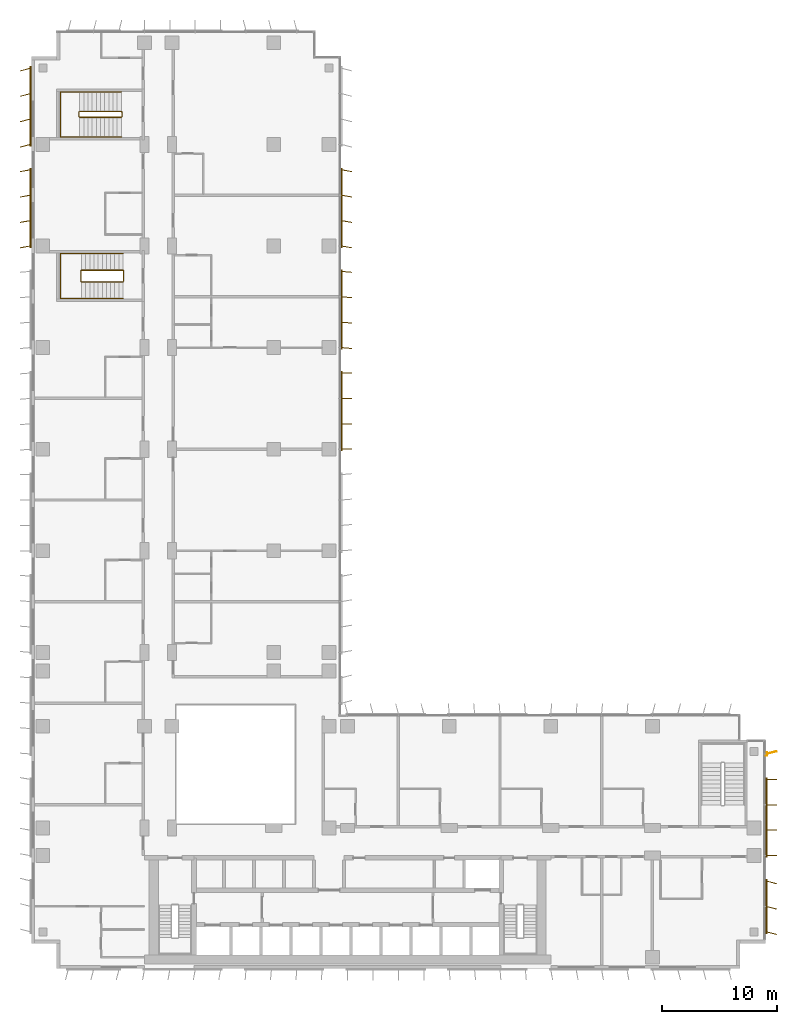
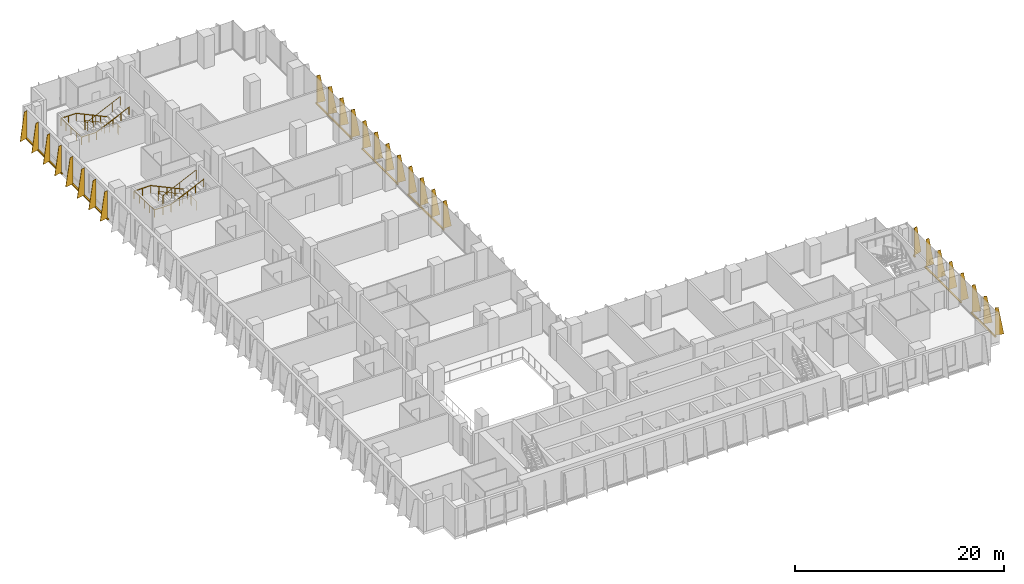
# One storey, part 21 of 22: 8 shading devices, 4 railings.
"""IFC4 building model written with IfcOpenShell, lengths in metres."""

from ifc_helpers import new_model, si_unit, direction, frame, origin, origin_2d, place, context, subcontext, project, spatial, polyline, rectangle, circle, outline, extrude, source, transform, mapped, material, layer, layer_set, type_object, element, save


model = new_model("IFC4")

# Units and contexts
model_context = context("Model", 3, precision=1e-05, world=origin(), true_north=direction((0.0, 1.0)))
body_context = subcontext(model_context, "Body", "Model", "MODEL_VIEW")
ifc_project = project(units=[si_unit("LENGTHUNIT", "METRE"), si_unit("AREAUNIT", "SQUARE_METRE"), si_unit("VOLUMEUNIT", "CUBIC_METRE"), si_unit("PLANEANGLEUNIT", "RADIAN"), si_unit("MASSUNIT", "GRAM", prefix="KILO")], contexts=[model_context])

# Site, building, storey
site_placement = place(None, origin())
site = spatial("IfcSite", under=ifc_project, at=site_placement, CompositionType="ELEMENT")
building_placement = place(site_placement, origin())
building = spatial("IfcBuilding", under=site, at=building_placement, Name="Kemantara Hotel Tower", CompositionType="ELEMENT")
storey_placement = place(building_placement, frame((0.0, 0.0, 98.199951171875)))
storey = spatial("IfcBuildingStorey", under=building, at=storey_placement, Name="L23", CompositionType="ELEMENT", Elevation=98.199951171875)

# Railings
ifc_material_1 = material(Name="Stainless steel balustrade", Category="steel")
railing_type_1 = type_object("IfcRailingType", Name="Stair guard 1100 mm", PredefinedType="GUARDRAIL", material=ifc_material_1)
railing_1_placement = place(storey_placement, frame((7.949951171875, 59.5, 3.699951171875)))
element("IfcRailing", 1, at=railing_1_placement, inside=storey, type_object=railing_type_1, Name="L23 ST4 stair guard 1", PredefinedType="GUARDRAIL", context=body_context, shape_type="SweptSolid", body=[
    extrude(circle(Radius=0.02392578125, at=origin_2d()), frame((0.0, 0.0, 1.076171875), z_axis=(-0.906018243939, 0.0, -0.423238634402), x_axis=(0.0, -1.0, 0.0)), (0.0, 0.0, 1.0), 3.973388671875),
    extrude(circle(Radius=0.02392578125, at=origin_2d()), frame((-3.599853515625, 0.0, -0.60546875), z_axis=(-0.274243871929, 0.274243871929, -0.92172696468), x_axis=(-0.707106781187, -0.707106781187, 0.0)), (0.0, 0.0, 1.0), 0.1826171875),
    extrude(circle(Radius=0.02392578125, at=origin_2d()), frame((-3.64990234375, 0.050048828125, -0.77392578125), z_axis=(0.0, 1.0, 0.0), x_axis=(-1.0, 0.0, 0.0)), (0.0, 0.0, 1.0), 0.89990234375),
    extrude(circle(Radius=0.02392578125, at=origin_2d()), frame((-3.64990234375, 0.949951171875, -0.77392578125), z_axis=(0.707106781187, 0.707106781187, 0.0), x_axis=(-0.707106781187, 0.707106781187, 0.0)), (0.0, 0.0, 1.0), 0.07080078125),
    extrude(circle(Radius=0.02392578125, at=origin_2d()), frame((-3.599853515625, 1.0, -0.77392578125), z_axis=(0.905994681025, 0.0, -0.423289071386), x_axis=(0.0, 1.0, 0.0)), (0.0, 0.0, 1.0), 3.973388671875),
    extrude(circle(Radius=0.02392578125, at=origin_2d()), frame((0.0, 1.0, -2.45556640625), z_axis=(0.274243871929, -0.274243871929, -0.92172696468), x_axis=(0.707106781187, 0.707106781187, 0.0)), (0.0, 0.0, 1.0), 0.1826171875),
    extrude(circle(Radius=0.02392578125, at=origin_2d()), frame((0.050048828125, 0.949951171875, -2.6240234375), z_axis=(0.0, -1.0, 0.0), x_axis=(1.0, 0.0, 0.0)), (0.0, 0.0, 1.0), 0.89990234375),
    extrude(circle(Radius=0.02099609375, at=origin_2d()), origin(), (0.0, 0.0, 1.0), 1.052001953125),
    extrude(circle(Radius=0.02099609375, at=origin_2d()), frame((-0.89990234375, 0.0, -0.42041015625)), (0.0, 0.0, 1.0), 1.052001953125),
    extrude(circle(Radius=0.02099609375, at=origin_2d()), frame((-1.7998046875, 0.0, -0.8408203125)), (0.0, 0.0, 1.0), 1.052001953125),
    extrude(circle(Radius=0.02099609375, at=origin_2d()), frame((-2.699951171875, 0.0, -1.26123046875)), (0.0, 0.0, 1.0), 1.052001953125),
    extrude(circle(Radius=0.02099609375, at=origin_2d()), frame((-3.599853515625, 0.0, -1.681640625)), (0.0, 0.0, 1.0), 1.052001953125),
    extrude(circle(Radius=0.02099609375, at=origin_2d()), frame((-3.64990234375, 0.050048828125, -1.849853515625)), (0.0, 0.0, 1.0), 1.052001953125),
    extrude(circle(Radius=0.02099609375, at=origin_2d()), frame((-3.64990234375, 0.949951171875, -1.849853515625)), (0.0, 0.0, 1.0), 1.052001953125),
    extrude(circle(Radius=0.02099609375, at=origin_2d()), frame((-3.599853515625, 1.0, -1.849853515625)), (0.0, 0.0, 1.0), 1.052001953125),
    extrude(circle(Radius=0.02099609375, at=origin_2d()), frame((-2.699951171875, 1.0, -2.270263671875)), (0.0, 0.0, 1.0), 1.052001953125),
    extrude(circle(Radius=0.02099609375, at=origin_2d()), frame((-1.7998046875, 1.0, -2.69091796875)), (0.0, 0.0, 1.0), 1.052001953125),
    extrude(circle(Radius=0.02099609375, at=origin_2d()), frame((-0.89990234375, 1.0, -3.111328125)), (0.0, 0.0, 1.0), 1.052001953125),
    extrude(circle(Radius=0.02099609375, at=origin_2d()), frame((0.0, 1.0, -3.53173828125)), (0.0, 0.0, 1.0), 1.052001953125),
    extrude(circle(Radius=0.02099609375, at=origin_2d()), frame((0.050048828125, 0.949951171875, -3.699951171875)), (0.0, 0.0, 1.0), 1.052001953125),
    extrude(circle(Radius=0.02099609375, at=origin_2d()), frame((0.050048828125, 0.050048828125, -3.699951171875)), (0.0, 0.0, 1.0), 1.052001953125),
])
railing_2_placement = place(storey_placement, frame((7.800048828125, 73.75, 3.699951171875)))
element("IfcRailing", 2, at=railing_2_placement, inside=storey, type_object=railing_type_1, Name="L23 ST6 stair guard 1", PredefinedType="GUARDRAIL", context=body_context, shape_type="SweptSolid", body=[
    extrude(circle(Radius=0.02392578125, at=origin_2d()), frame((0.0, 0.0, 1.076171875), z_axis=(-0.906029249863, 0.0, -0.423215073447), x_axis=(0.0, -1.0, 0.0)), (0.0, 0.0, 1.0), 3.973388671875),
    extrude(circle(Radius=0.02392578125, at=origin_2d()), frame((-3.60009765625, 0.0, -0.60546875), z_axis=(-0.274243871929, 0.274243871929, -0.92172696468), x_axis=(-0.707106781187, -0.707106781187, 0.0)), (0.0, 0.0, 1.0), 0.1826171875),
    extrude(circle(Radius=0.02392578125, at=origin_2d()), frame((-3.650146484375, 0.050048828125, -0.77392578125), z_axis=(0.0, 1.0, 0.0), x_axis=(-1.0, 0.0, 0.0)), (0.0, 0.0, 1.0), 0.39990234375),
    extrude(circle(Radius=0.02392578125, at=origin_2d()), frame((-3.650146484375, 0.449951171875, -0.77392578125), z_axis=(0.707106781187, 0.707106781187, 0.0), x_axis=(-0.707106781187, 0.707106781187, 0.0)), (0.0, 0.0, 1.0), 0.07080078125),
    extrude(circle(Radius=0.02392578125, at=origin_2d()), frame((-3.60009765625, 0.5, -0.77392578125), z_axis=(0.906005689286, 0.0, -0.423265508849), x_axis=(0.0, 1.0, 0.0)), (0.0, 0.0, 1.0), 3.9736328125),
    extrude(circle(Radius=0.02392578125, at=origin_2d()), frame((0.0, 0.5, -2.45556640625), z_axis=(0.274243871929, -0.274243871929, -0.92172696468), x_axis=(0.707106781187, 0.707106781187, 0.0)), (0.0, 0.0, 1.0), 0.1826171875),
    extrude(circle(Radius=0.02392578125, at=origin_2d()), frame((0.050048828125, 0.449951171875, -2.6240234375), z_axis=(0.0, -1.0, 0.0), x_axis=(1.0, 0.0, 0.0)), (0.0, 0.0, 1.0), 0.39990234375),
    extrude(circle(Radius=0.02099609375, at=origin_2d()), origin(), (0.0, 0.0, 1.0), 1.052001953125),
    extrude(circle(Radius=0.02099609375, at=origin_2d()), frame((-0.89990234375, 0.0, -0.42041015625)), (0.0, 0.0, 1.0), 1.052001953125),
    extrude(circle(Radius=0.02099609375, at=origin_2d()), frame((-1.800048828125, 0.0, -0.8408203125)), (0.0, 0.0, 1.0), 1.052001953125),
    extrude(circle(Radius=0.02099609375, at=origin_2d()), frame((-2.7001953125, 0.0, -1.26123046875)), (0.0, 0.0, 1.0), 1.052001953125),
    extrude(circle(Radius=0.02099609375, at=origin_2d()), frame((-3.60009765625, 0.0, -1.681640625)), (0.0, 0.0, 1.0), 1.052001953125),
    extrude(circle(Radius=0.02099609375, at=origin_2d()), frame((-3.650146484375, 0.050048828125, -1.849853515625)), (0.0, 0.0, 1.0), 1.052001953125),
    extrude(circle(Radius=0.02099609375, at=origin_2d()), frame((-3.650146484375, 0.449951171875, -1.849853515625)), (0.0, 0.0, 1.0), 1.052001953125),
    extrude(circle(Radius=0.02099609375, at=origin_2d()), frame((-3.60009765625, 0.5, -1.849853515625)), (0.0, 0.0, 1.0), 1.052001953125),
    extrude(circle(Radius=0.02099609375, at=origin_2d()), frame((-2.7001953125, 0.5, -2.270263671875)), (0.0, 0.0, 1.0), 1.052001953125),
    extrude(circle(Radius=0.02099609375, at=origin_2d()), frame((-1.800048828125, 0.5, -2.69091796875)), (0.0, 0.0, 1.0), 1.052001953125),
    extrude(circle(Radius=0.02099609375, at=origin_2d()), frame((-0.89990234375, 0.5, -3.111328125)), (0.0, 0.0, 1.0), 1.052001953125),
    extrude(circle(Radius=0.02099609375, at=origin_2d()), frame((0.0, 0.5, -3.53173828125)), (0.0, 0.0, 1.0), 1.052001953125),
    extrude(circle(Radius=0.02099609375, at=origin_2d()), frame((0.050048828125, 0.449951171875, -3.699951171875)), (0.0, 0.0, 1.0), 1.052001953125),
    extrude(circle(Radius=0.02099609375, at=origin_2d()), frame((0.050048828125, 0.050048828125, -3.699951171875)), (0.0, 0.0, 1.0), 1.052001953125),
])
railing_type_2 = type_object("IfcRailingType", Name="Stair handrail 900 mm", PredefinedType="HANDRAIL", material=ifc_material_1)
railing_3_placement = place(storey_placement, frame((7.949951171875, 61.949951171875, 0.168212890625)))
element("IfcRailing", 3, at=railing_3_placement, inside=storey, type_object=railing_type_2, Name="L23 ST4 stair handrail 1", PredefinedType="HANDRAIL", context=body_context, shape_type="SweptSolid", body=[
    extrude(circle(Radius=0.02392578125, at=origin_2d()), frame((0.0, 0.0, 0.8759765625), z_axis=(-0.905994681025, 0.0, 0.423289071386), x_axis=(0.0, -1.0, 0.0)), (0.0, 0.0, 1.0), 3.973388671875),
    extrude(circle(Radius=0.02392578125, at=origin_2d()), frame((-3.599853515625, 0.0, 2.5576171875), z_axis=(-1.0, 0.0, 0.0), x_axis=(0.0, -1.0, 0.0)), (0.0, 0.0, 1.0), 1.830078125),
    extrude(circle(Radius=0.02392578125, at=origin_2d()), frame((-5.429931640625, 0.0, 2.5576171875), z_axis=(0.0, -0.999071085748, 0.043092523981), x_axis=(1.0, 0.0, 0.0)), (0.0, 0.0, 1.0), 3.903564453125),
    extrude(circle(Radius=0.02392578125, at=origin_2d()), frame((-5.429931640625, -3.89990234375, 2.72607421875), z_axis=(1.0, 0.0, 0.0), x_axis=(0.0, 1.0, 0.0)), (0.0, 0.0, 1.0), 1.830078125),
    extrude(circle(Radius=0.02392578125, at=origin_2d()), frame((-3.599853515625, -3.89990234375, 2.72607421875), z_axis=(0.906018243939, 0.0, 0.423238634402), x_axis=(0.0, 1.0, 0.0)), (0.0, 0.0, 1.0), 3.973388671875),
    extrude(circle(Radius=0.02099609375, at=origin_2d()), origin(), (0.0, 0.0, 1.0), 0.851806640625),
    extrude(circle(Radius=0.02099609375, at=origin_2d()), frame((-0.89990234375, 0.0, 0.42041015625)), (0.0, 0.0, 1.0), 0.851806640625),
    extrude(circle(Radius=0.02099609375, at=origin_2d()), frame((-1.7998046875, 0.0, 0.8408203125)), (0.0, 0.0, 1.0), 0.851806640625),
    extrude(circle(Radius=0.02099609375, at=origin_2d()), frame((-2.699951171875, 0.0, 1.261474609375)), (0.0, 0.0, 1.0), 0.851806640625),
    extrude(circle(Radius=0.02099609375, at=origin_2d()), frame((-3.599853515625, 0.0, 1.681884765625)), (0.0, 0.0, 1.0), 0.851806640625),
    extrude(circle(Radius=0.02099609375, at=origin_2d()), frame((-4.514892578125, 0.0, 1.681884765625)), (0.0, 0.0, 1.0), 0.851806640625),
    extrude(circle(Radius=0.02099609375, at=origin_2d()), frame((-5.429931640625, 0.0, 1.681884765625)), (0.0, 0.0, 1.0), 0.851806640625),
    extrude(circle(Radius=0.02099609375, at=origin_2d()), frame((-5.429931640625, -0.97509765625, 1.723876953125)), (0.0, 0.0, 1.0), 0.851806640625),
    extrude(circle(Radius=0.02099609375, at=origin_2d()), frame((-5.429931640625, -1.949951171875, 1.76611328125)), (0.0, 0.0, 1.0), 0.851806640625),
    extrude(circle(Radius=0.02099609375, at=origin_2d()), frame((-5.429931640625, -2.9248046875, 1.80810546875)), (0.0, 0.0, 1.0), 0.851806640625),
    extrude(circle(Radius=0.02099609375, at=origin_2d()), frame((-5.429931640625, -3.89990234375, 1.85009765625)), (0.0, 0.0, 1.0), 0.851806640625),
    extrude(circle(Radius=0.02099609375, at=origin_2d()), frame((-4.514892578125, -3.89990234375, 1.85009765625)), (0.0, 0.0, 1.0), 0.851806640625),
    extrude(circle(Radius=0.02099609375, at=origin_2d()), frame((-3.599853515625, -3.89990234375, 1.85009765625)), (0.0, 0.0, 1.0), 0.851806640625),
    extrude(circle(Radius=0.02099609375, at=origin_2d()), frame((-2.699951171875, -3.89990234375, 2.2705078125)), (0.0, 0.0, 1.0), 0.851806640625),
    extrude(circle(Radius=0.02099609375, at=origin_2d()), frame((-1.7998046875, -3.89990234375, 2.69091796875)), (0.0, 0.0, 1.0), 0.851806640625),
    extrude(circle(Radius=0.02099609375, at=origin_2d()), frame((-0.89990234375, -3.89990234375, 3.111328125)), (0.0, 0.0, 1.0), 0.851806640625),
    extrude(circle(Radius=0.02099609375, at=origin_2d()), frame((0.0, -3.89990234375, 3.53173828125)), (0.0, 0.0, 1.0), 0.851806640625),
])
railing_4_placement = place(storey_placement, frame((7.800048828125, 75.949951171875, 0.168212890625)))
element("IfcRailing", 4, at=railing_4_placement, inside=storey, type_object=railing_type_2, Name="L23 ST6 stair handrail 1", PredefinedType="HANDRAIL", context=body_context, shape_type="SweptSolid", body=[
    extrude(circle(Radius=0.02392578125, at=origin_2d()), frame((0.0, 0.0, 0.8759765625), z_axis=(-0.906005689286, 0.0, 0.423265508849), x_axis=(0.0, -1.0, 0.0)), (0.0, 0.0, 1.0), 3.9736328125),
    extrude(circle(Radius=0.02392578125, at=origin_2d()), frame((-3.60009765625, 0.0, 2.5576171875), z_axis=(-1.0, 0.0, 0.0), x_axis=(0.0, -1.0, 0.0)), (0.0, 0.0, 1.0), 1.679931640625),
    extrude(circle(Radius=0.02392578125, at=origin_2d()), frame((-5.280029296875, 0.0, 2.5576171875), z_axis=(0.0, -0.999071085748, 0.043092523981), x_axis=(1.0, 0.0, 0.0)), (0.0, 0.0, 1.0), 3.903564453125),
    extrude(circle(Radius=0.02392578125, at=origin_2d()), frame((-5.280029296875, -3.89990234375, 2.72607421875), z_axis=(1.0, 0.0, 0.0), x_axis=(0.0, 1.0, 0.0)), (0.0, 0.0, 1.0), 1.679931640625),
    extrude(circle(Radius=0.02392578125, at=origin_2d()), frame((-3.60009765625, -3.89990234375, 2.72607421875), z_axis=(0.906029249863, 0.0, 0.423215073447), x_axis=(0.0, 1.0, 0.0)), (0.0, 0.0, 1.0), 3.973388671875),
    extrude(circle(Radius=0.02099609375, at=origin_2d()), origin(), (0.0, 0.0, 1.0), 0.851806640625),
    extrude(circle(Radius=0.02099609375, at=origin_2d()), frame((-0.89990234375, 0.0, 0.42041015625)), (0.0, 0.0, 1.0), 0.851806640625),
    extrude(circle(Radius=0.02099609375, at=origin_2d()), frame((-1.800048828125, 0.0, 0.8408203125)), (0.0, 0.0, 1.0), 0.851806640625),
    extrude(circle(Radius=0.02099609375, at=origin_2d()), frame((-2.7001953125, 0.0, 1.261474609375)), (0.0, 0.0, 1.0), 0.851806640625),
    extrude(circle(Radius=0.02099609375, at=origin_2d()), frame((-3.60009765625, 0.0, 1.681884765625)), (0.0, 0.0, 1.0), 0.851806640625),
    extrude(circle(Radius=0.02099609375, at=origin_2d()), frame((-4.43994140625, 0.0, 1.681884765625)), (0.0, 0.0, 1.0), 0.851806640625),
    extrude(circle(Radius=0.02099609375, at=origin_2d()), frame((-5.280029296875, 0.0, 1.681884765625)), (0.0, 0.0, 1.0), 0.851806640625),
    extrude(circle(Radius=0.02099609375, at=origin_2d()), frame((-5.280029296875, -0.97509765625, 1.723876953125)), (0.0, 0.0, 1.0), 0.851806640625),
    extrude(circle(Radius=0.02099609375, at=origin_2d()), frame((-5.280029296875, -1.949951171875, 1.76611328125)), (0.0, 0.0, 1.0), 0.851806640625),
    extrude(circle(Radius=0.02099609375, at=origin_2d()), frame((-5.280029296875, -2.9248046875, 1.80810546875)), (0.0, 0.0, 1.0), 0.851806640625),
    extrude(circle(Radius=0.02099609375, at=origin_2d()), frame((-5.280029296875, -3.89990234375, 1.85009765625)), (0.0, 0.0, 1.0), 0.851806640625),
    extrude(circle(Radius=0.02099609375, at=origin_2d()), frame((-4.43994140625, -3.89990234375, 1.85009765625)), (0.0, 0.0, 1.0), 0.851806640625),
    extrude(circle(Radius=0.02099609375, at=origin_2d()), frame((-3.60009765625, -3.89990234375, 1.85009765625)), (0.0, 0.0, 1.0), 0.851806640625),
    extrude(circle(Radius=0.02099609375, at=origin_2d()), frame((-2.7001953125, -3.89990234375, 2.2705078125)), (0.0, 0.0, 1.0), 0.851806640625),
    extrude(circle(Radius=0.02099609375, at=origin_2d()), frame((-1.800048828125, -3.89990234375, 2.69091796875)), (0.0, 0.0, 1.0), 0.851806640625),
    extrude(circle(Radius=0.02099609375, at=origin_2d()), frame((-0.89990234375, -3.89990234375, 3.111328125)), (0.0, 0.0, 1.0), 0.851806640625),
    extrude(circle(Radius=0.02099609375, at=origin_2d()), frame((0.0, -3.89990234375, 3.53173828125)), (0.0, 0.0, 1.0), 0.851806640625),
])

# Shading devices
ifc_material_2 = material(Name="Perforated aluminium plate 4 mm bronze anodised", Category="aluminium")
ifc_layer_1 = layer(ifc_material_2, 0.0400390625)
ifc_layer_set_1 = layer_set([ifc_layer_1], Name="Perforated aluminium plate 4 mm bronze anodised")
shading_device_type_1 = type_object("IfcShadingDeviceType", Name="SCREEN FIN CASSETTE, 3 BLADES AT -15.0 DEG, 3200 HIGH", PredefinedType="USERDEFINED", material=ifc_layer_set_1)
shared_shape_1 = source(origin(), body_context, "Body", "SweptSolid", [
    extrude(rectangle(XDim=4.699951171875, YDim=0.14990234375, at=origin_2d()), frame((2.199951171875, -0.074951171875, -0.14990234375), z_axis=(0.0, 0.0, 1.0), x_axis=(1.0, 0.0, 0.0)), (0.0, 0.0, 1.0), 0.14990234375),
    extrude(outline(polyline([(0.0, 0.0), (0.89990234375, 0.0), (0.35009765625, 3.199951171875), (0.0, 3.199951171875), (0.0, 0.0)])), frame((0.019287109375, -0.080078125, 0.0), z_axis=(-0.966437683387, 0.256901156343, 0.0), x_axis=(-0.256901156343, -0.966437683387, 0.0)), (0.0, 0.0, 1.0), 0.039794921875),
    extrude(outline(polyline([(0.0, 0.0), (0.89990234375, 0.0), (0.35009765625, 3.199951171875), (0.0, 3.199951171875), (0.0, 0.0)])), frame((2.21923828125, -0.080078125, 0.0), z_axis=(-0.966437683387, 0.256901156343, 0.0), x_axis=(-0.256901156343, -0.966437683387, 0.0)), (0.0, 0.0, 1.0), 0.039794921875),
    extrude(outline(polyline([(0.0, 0.0), (0.89990234375, 0.0), (0.35009765625, 3.199951171875), (0.0, 3.199951171875), (0.0, 0.0)])), frame((4.41943359375, -0.080078125, 0.0), z_axis=(-0.966837822169, 0.255391122837, 0.0), x_axis=(-0.255391122837, -0.966837822169, 0.0)), (0.0, 0.0, 1.0), 0.0400390625),
])
shading_device_1_placement = place(storey_placement, frame((63.60009765625, 3.199951171875, 0.10009765625), z_axis=(0.0, 0.0, 1.0), x_axis=(0.0, 1.0, 0.0)))
element("IfcShadingDevice", 5, at=shading_device_1_placement, inside=storey, type_object=shading_device_type_1, Name="SCREEN FIN CASSETTE L23 T2-R10-1", ObjectType="SCREEN FIN", PredefinedType="USERDEFINED", context=body_context, shape_type="MappedRepresentation", body=[
    mapped(shared_shape_1, transform((0.0, 0.0, 0.0))),
])
ifc_layer_2 = layer(ifc_material_2, 0.0400390625)
ifc_layer_set_2 = layer_set([ifc_layer_2], Name="Perforated aluminium plate 4 mm bronze anodised")
shading_device_type_2 = type_object("IfcShadingDeviceType", Name="SCREEN FIN CASSETTE, 4 BLADES AT -10.0 DEG, 3200 HIGH", PredefinedType="USERDEFINED", material=ifc_layer_set_2)
shared_shape_2 = source(origin(), body_context, "Body", "SweptSolid", [
    extrude(rectangle(XDim=6.89990234375, YDim=0.14990234375, at=origin_2d()), frame((3.300048828125, -0.074951171875, -0.14990234375), z_axis=(0.0, 0.0, 1.0), x_axis=(1.0, 0.0, 0.0)), (0.0, 0.0, 1.0), 0.14990234375),
    extrude(outline(polyline([(0.0, 0.0), (0.89990234375, 0.0), (0.35009765625, 3.199951171875), (0.0, 3.199951171875), (0.0, 0.0)])), frame((0.019775390625, -0.078369140625, 0.0), z_axis=(-0.985389793052, 0.170314285219, 0.0), x_axis=(-0.170314285219, -0.985389793052, 0.0)), (0.0, 0.0, 1.0), 0.0400390625),
    extrude(outline(polyline([(0.0, 0.0), (0.89990234375, 0.0), (0.35009765625, 3.199951171875), (0.0, 3.199951171875), (0.0, 0.0)])), frame((2.2197265625, -0.078369140625, 0.0), z_axis=(-0.98521175482, 0.171341174751, 0.0), x_axis=(-0.171341174751, -0.98521175482, 0.0)), (0.0, 0.0, 1.0), 0.039794921875),
    extrude(outline(polyline([(0.0, 0.0), (0.89990234375, 0.0), (0.35009765625, 3.199951171875), (0.0, 3.199951171875), (0.0, 0.0)])), frame((4.419677734375, -0.078369140625, 0.0), z_axis=(-0.98521175482, 0.171341174751, 0.0), x_axis=(-0.171341174751, -0.98521175482, 0.0)), (0.0, 0.0, 1.0), 0.039794921875),
    extrude(outline(polyline([(0.0, 0.0), (0.89990234375, 0.0), (0.35009765625, 3.199951171875), (0.0, 3.199951171875), (0.0, 0.0)])), frame((6.61962890625, -0.078369140625, 0.0), z_axis=(-0.98521175482, 0.171341174751, 0.0), x_axis=(-0.171341174751, -0.98521175482, 0.0)), (0.0, 0.0, 1.0), 0.039794921875),
])
shading_device_2_placement = place(storey_placement, frame((26.800048828125, 62.60009765625, 0.10009765625), z_axis=(0.0, 0.0, 1.0), x_axis=(0.0, 1.0, 0.0)))
element("IfcShadingDevice", 6, at=shading_device_2_placement, inside=storey, type_object=shading_device_type_2, Name="SCREEN FIN CASSETTE L23 T2-R14-6", ObjectType="SCREEN FIN", PredefinedType="USERDEFINED", context=body_context, shape_type="MappedRepresentation", body=[
    mapped(shared_shape_2, transform((0.0, 0.0, 0.0))),
])
ifc_layer_3 = layer(ifc_material_2, 0.0400390625)
ifc_layer_set_3 = layer_set([ifc_layer_3], Name="Perforated aluminium plate 4 mm bronze anodised")
shading_device_type_3 = type_object("IfcShadingDeviceType", Name="SCREEN FIN CASSETTE, 4 BLADES AT -5.0 DEG, 3200 HIGH", PredefinedType="USERDEFINED", material=ifc_layer_set_3)
shared_shape_3 = source(origin(), body_context, "Body", "SweptSolid", [
    extrude(rectangle(XDim=6.89990234375, YDim=0.14990234375, at=origin_2d()), frame((3.300048828125, -0.074951171875, -0.14990234375), z_axis=(0.0, 0.0, 1.0), x_axis=(1.0, 0.0, 0.0)), (0.0, 0.0, 1.0), 0.14990234375),
    extrude(outline(polyline([(0.0, 0.0), (0.89990234375, 0.0), (0.35009765625, 3.199951171875), (0.0, 3.199951171875), (0.0, 0.0)])), frame((0.02001953125, -0.07666015625, 0.0), z_axis=(-0.996376129781, 0.085056498884, 0.0), x_axis=(-0.085056498884, -0.996376129781, 0.0)), (0.0, 0.0, 1.0), 0.040283203125),
    extrude(outline(polyline([(0.0, 0.0), (0.89990234375, 0.0), (0.35009765625, 3.199951171875), (0.0, 3.199951171875), (0.0, 0.0)])), frame((2.219970703125, -0.07666015625, 0.0), z_axis=(-0.996331773833, 0.085574508182, 0.0), x_axis=(-0.085574508182, -0.996331773833, 0.0)), (0.0, 0.0, 1.0), 0.0400390625),
    extrude(outline(polyline([(0.0, 0.0), (0.89990234375, 0.0), (0.35009765625, 3.199951171875), (0.0, 3.199951171875), (0.0, 0.0)])), frame((4.419921875, -0.07666015625, 0.0), z_axis=(-0.996331773833, 0.085574508182, 0.0), x_axis=(-0.085574508182, -0.996331773833, 0.0)), (0.0, 0.0, 1.0), 0.0400390625),
    extrude(outline(polyline([(0.0, 0.0), (0.89990234375, 0.0), (0.35009765625, 3.199951171875), (0.0, 3.199951171875), (0.0, 0.0)])), frame((6.619873046875, -0.07666015625, 0.0), z_axis=(-0.996331773833, 0.085574508182, 0.0), x_axis=(-0.085574508182, -0.996331773833, 0.0)), (0.0, 0.0, 1.0), 0.0400390625),
])
shading_device_3_placement = place(storey_placement, frame((26.800048828125, 53.800048828125, 0.10009765625), z_axis=(0.0, 0.0, 1.0), x_axis=(0.0, 1.0, 0.0)))
element("IfcShadingDevice", 7, at=shading_device_3_placement, inside=storey, type_object=shading_device_type_3, Name="SCREEN FIN CASSETTE L23 T2-R14-5", ObjectType="SCREEN FIN", PredefinedType="USERDEFINED", context=body_context, shape_type="MappedRepresentation", body=[
    mapped(shared_shape_3, transform((0.0, 0.0, 0.0))),
])
ifc_layer_4 = layer(ifc_material_2, 0.0400390625)
ifc_layer_set_4 = layer_set([ifc_layer_4], Name="Perforated aluminium plate 4 mm bronze anodised")
shading_device_type_4 = type_object("IfcShadingDeviceType", Name="SCREEN FIN CASSETTE, 4 BLADES AT +0.0 DEG, 3200 HIGH", PredefinedType="USERDEFINED", material=ifc_layer_set_4)
shared_shape_4 = source(origin(), body_context, "Body", "SweptSolid", [
    extrude(rectangle(XDim=6.89990234375, YDim=0.14990234375, at=origin_2d()), frame((3.300048828125, -0.074951171875, -0.14990234375), z_axis=(0.0, 0.0, 1.0), x_axis=(1.0, 0.0, 0.0)), (0.0, 0.0, 1.0), 0.14990234375),
    extrude(outline(polyline([(0.0, 0.0), (0.89990234375, 0.0), (0.35009765625, 3.199951171875), (0.0, 3.199951171875), (0.0, 0.0)])), frame((0.02001953125, -0.074951171875, 0.0), z_axis=(-1.0, 0.0, 0.0), x_axis=(0.0, -1.0, 0.0)), (0.0, 0.0, 1.0), 0.0400390625),
    extrude(outline(polyline([(0.0, 0.0), (0.89990234375, 0.0), (0.35009765625, 3.199951171875), (0.0, 3.199951171875), (0.0, 0.0)])), frame((2.219970703125, -0.074951171875, 0.0), z_axis=(-1.0, 0.0, 0.0), x_axis=(0.0, -1.0, 0.0)), (0.0, 0.0, 1.0), 0.0400390625),
    extrude(outline(polyline([(0.0, 0.0), (0.89990234375, 0.0), (0.35009765625, 3.199951171875), (0.0, 3.199951171875), (0.0, 0.0)])), frame((4.419921875, -0.074951171875, 0.0), z_axis=(-1.0, 0.0, 0.0), x_axis=(0.0, -1.0, 0.0)), (0.0, 0.0, 1.0), 0.0400390625),
    extrude(outline(polyline([(0.0, 0.0), (0.89990234375, 0.0), (0.35009765625, 3.199951171875), (0.0, 3.199951171875), (0.0, 0.0)])), frame((6.6201171875, -0.074951171875, 0.0), z_axis=(-1.0, 0.0, 0.0), x_axis=(0.0, -1.0, 0.0)), (0.0, 0.0, 1.0), 0.0400390625),
])
for number, where, z_axis, x_axis, name in (
    (8, (63.60009765625, 9.800048828125, 0.10009765625), (0.0, 0.0, 1.0), (0.0, 1.0, 0.0), "SCREEN FIN CASSETTE L23 T2-R10-2"),
    (9, (26.800048828125, 45.0, 0.10009765625), (0.0, 0.0, 1.0), (0.0, 1.0, 0.0), "SCREEN FIN CASSETTE L23 T2-R14-4"),
):
    element("IfcShadingDevice", number, at=place(storey_placement, frame(where, z_axis=z_axis, x_axis=x_axis)), inside=storey, type_object=shading_device_type_4, Name=name, ObjectType="SCREEN FIN", PredefinedType="USERDEFINED", context=body_context, shape_type="MappedRepresentation", body=[
        mapped(shared_shape_4, transform((0.0, 0.0, 0.0))),
    ])
ifc_layer_5 = layer(ifc_material_2, 0.0400390625)
ifc_layer_set_5 = layer_set([ifc_layer_5], Name="Perforated aluminium plate 4 mm bronze anodised")
shading_device_type_5 = type_object("IfcShadingDeviceType", Name="SCREEN FIN CASSETTE, 4 BLADES AT +10.0 DEG, 3200 HIGH", PredefinedType="USERDEFINED", material=ifc_layer_set_5)
shared_shape_5 = source(origin(), body_context, "Body", "SweptSolid", [
    extrude(rectangle(XDim=6.89990234375, YDim=0.14990234375, at=origin_2d()), frame((3.300048828125, -0.074951171875, -0.14990234375), z_axis=(0.0, 0.0, 1.0), x_axis=(1.0, 0.0, 0.0)), (0.0, 0.0, 1.0), 0.14990234375),
    extrude(outline(polyline([(0.0, 0.0), (0.89990234375, 0.0), (0.35009765625, 3.199951171875), (0.0, 3.199951171875), (0.0, 0.0)])), frame((0.019775390625, -0.071533203125, 0.0), z_axis=(-0.985389793052, -0.170314285219, 0.0), x_axis=(0.170314285219, -0.985389793052, 0.0)), (0.0, 0.0, 1.0), 0.0400390625),
    extrude(outline(polyline([(0.0, 0.0), (0.89990234375, 0.0), (0.35009765625, 3.199951171875), (0.0, 3.199951171875), (0.0, 0.0)])), frame((2.2197265625, -0.071533203125, 0.0), z_axis=(-0.98521175482, -0.171341174751, 0.0), x_axis=(0.171341174751, -0.98521175482, 0.0)), (0.0, 0.0, 1.0), 0.039794921875),
    extrude(outline(polyline([(0.0, 0.0), (0.89990234375, 0.0), (0.35009765625, 3.199951171875), (0.0, 3.199951171875), (0.0, 0.0)])), frame((4.419677734375, -0.071533203125, 0.0), z_axis=(-0.98521175482, -0.171341174751, 0.0), x_axis=(0.171341174751, -0.98521175482, 0.0)), (0.0, 0.0, 1.0), 0.039794921875),
    extrude(outline(polyline([(0.0, 0.0), (0.89990234375, 0.0), (0.35009765625, 3.199951171875), (0.0, 3.199951171875), (0.0, 0.0)])), frame((6.61962890625, -0.071533203125, 0.0), z_axis=(-0.98521175482, -0.171341174751, 0.0), x_axis=(0.171341174751, -0.98521175482, 0.0)), (0.0, 0.0, 1.0), 0.039794921875),
])
shading_device_4_placement = place(storey_placement, frame((0.0, 69.199951171875, 0.10009765625), z_axis=(0.0, 0.0, 1.0), x_axis=(0.0, -1.0, 0.0)))
element("IfcShadingDevice", 10, at=shading_device_4_placement, inside=storey, type_object=shading_device_type_5, Name="SCREEN FIN CASSETTE L23 T2-R04-2", ObjectType="SCREEN FIN", PredefinedType="USERDEFINED", context=body_context, shape_type="MappedRepresentation", body=[
    mapped(shared_shape_5, transform((0.0, 0.0, 0.0))),
])
ifc_layer_6 = layer(ifc_material_2, 0.0400390625)
ifc_layer_set_6 = layer_set([ifc_layer_6], Name="Perforated aluminium plate 4 mm bronze anodised")
shading_device_type_6 = type_object("IfcShadingDeviceType", Name="SCREEN FIN CASSETTE, 4 BLADES AT +15.0 DEG, 3200 HIGH", PredefinedType="USERDEFINED", material=ifc_layer_set_6)
shared_shape_6 = source(origin(), body_context, "Body", "SweptSolid", [
    extrude(rectangle(XDim=6.89990234375, YDim=0.14990234375, at=origin_2d()), frame((3.300048828125, -0.074951171875, -0.14990234375), z_axis=(0.0, 0.0, 1.0), x_axis=(1.0, 0.0, 0.0)), (0.0, 0.0, 1.0), 0.14990234375),
    extrude(outline(polyline([(0.0, 0.0), (0.89990234375, 0.0), (0.35009765625, 3.199951171875), (0.0, 3.199951171875), (0.0, 0.0)])), frame((0.019287109375, -0.06982421875, 0.0), z_axis=(-0.966437683387, -0.256901156343, 0.0), x_axis=(0.256901156343, -0.966437683387, 0.0)), (0.0, 0.0, 1.0), 0.039794921875),
    extrude(outline(polyline([(0.0, 0.0), (0.89990234375, 0.0), (0.35009765625, 3.199951171875), (0.0, 3.199951171875), (0.0, 0.0)])), frame((2.21923828125, -0.06982421875, 0.0), z_axis=(-0.966437683387, -0.256901156343, 0.0), x_axis=(0.256901156343, -0.966437683387, 0.0)), (0.0, 0.0, 1.0), 0.039794921875),
    extrude(outline(polyline([(0.0, 0.0), (0.89990234375, 0.0), (0.35009765625, 3.199951171875), (0.0, 3.199951171875), (0.0, 0.0)])), frame((4.41943359375, -0.06982421875, 0.0), z_axis=(-0.966837822169, -0.255391122837, 0.0), x_axis=(0.255391122837, -0.966837822169, 0.0)), (0.0, 0.0, 1.0), 0.0400390625),
    extrude(outline(polyline([(0.0, 0.0), (0.89990234375, 0.0), (0.35009765625, 3.199951171875), (0.0, 3.199951171875), (0.0, 0.0)])), frame((6.619384765625, -0.06982421875, 0.0), z_axis=(-0.966837822169, -0.255391122837, 0.0), x_axis=(0.255391122837, -0.966837822169, 0.0)), (0.0, 0.0, 1.0), 0.0400390625),
])
shading_device_5_placement = place(storey_placement, frame((0.0, 78.0, 0.10009765625), z_axis=(0.0, 0.0, 1.0), x_axis=(0.0, -1.0, 0.0)))
element("IfcShadingDevice", 11, at=shading_device_5_placement, inside=storey, type_object=shading_device_type_6, Name="SCREEN FIN CASSETTE L23 T2-R04-1", ObjectType="SCREEN FIN", PredefinedType="USERDEFINED", context=body_context, shape_type="MappedRepresentation", body=[
    mapped(shared_shape_6, transform((0.0, 0.0, 0.0))),
])
ifc_layer_7 = layer(ifc_material_2, 0.0400390625)
ifc_layer_set_7 = layer_set([ifc_layer_7], Name="Perforated aluminium plate 4 mm bronze anodised")
shading_device_type_7 = type_object("IfcShadingDeviceType", Name="SCREEN FIN CASSETTE, 1 BLADE AT +15.0 DEG, 3200 HIGH", PredefinedType="USERDEFINED", material=ifc_layer_set_7)
shared_shape_7 = source(origin(), body_context, "Body", "SweptSolid", [
    extrude(rectangle(XDim=0.300048828125, YDim=0.14990234375, at=origin_2d()), frame((0.0, -0.074951171875, -0.14990234375), z_axis=(0.0, 0.0, 1.0), x_axis=(1.0, 0.0, 0.0)), (0.0, 0.0, 1.0), 0.14990234375),
    extrude(outline(polyline([(0.0, 0.0), (0.89990234375, 0.0), (0.35009765625, 3.199951171875), (0.0, 3.199951171875), (0.0, 0.0)])), frame((0.019287109375, -0.06982421875, 0.0), z_axis=(-0.966437683387, -0.256901156343, 0.0), x_axis=(0.256901156343, -0.966437683387, 0.0)), (0.0, 0.0, 1.0), 0.039794921875),
])
shading_device_6_placement = place(storey_placement, frame((63.60009765625, 18.60009765625, 0.10009765625), z_axis=(0.0, 0.0, 1.0), x_axis=(0.0, 1.0, 0.0)))
element("IfcShadingDevice", 12, at=shading_device_6_placement, inside=storey, type_object=shading_device_type_7, Name="SCREEN FIN CASSETTE L23 T2-R10-3", ObjectType="SCREEN FIN", PredefinedType="USERDEFINED", context=body_context, shape_type="MappedRepresentation", body=[
    mapped(shared_shape_7, transform((0.0, 0.0, 0.0))),
])

save(model, "model.ifc")
